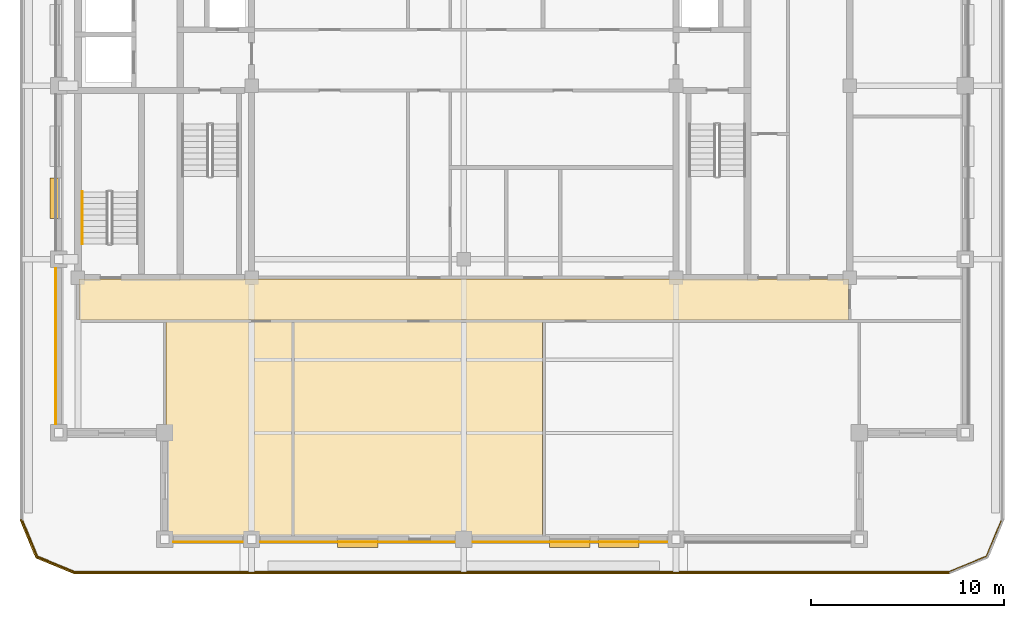
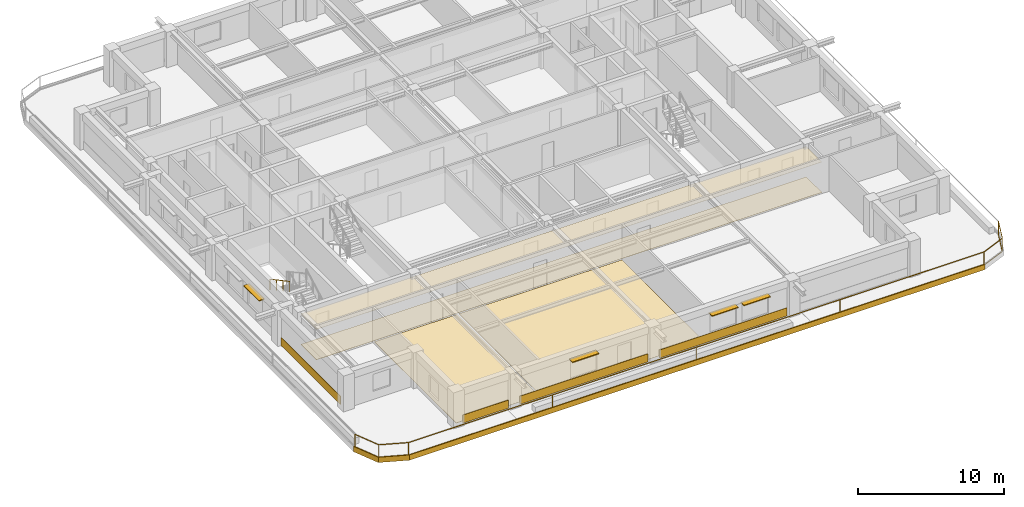
# One storey, part 7 of 11: 11 coverings, 4 shading devices, 2 railings.
"""IFC4 building model written with IfcOpenShell, lengths in metres."""

from ifc_helpers import new_model, si_unit, direction, frame, frame_2d, origin, origin_2d, place, context, subcontext, project, spatial, polyline, rectangle, outline, extrude, material, layer, layer_set, type_object, element, save


model = new_model("IFC4")

# Units and contexts
model_context = context("Model", 3, precision=1e-05, world=origin(), true_north=direction((0.0, 1.0)))
body_context = subcontext(model_context, "Body", "Model", "MODEL_VIEW")
ifc_project = project(units=[si_unit("LENGTHUNIT", "METRE"), si_unit("AREAUNIT", "SQUARE_METRE"), si_unit("VOLUMEUNIT", "CUBIC_METRE"), si_unit("PLANEANGLEUNIT", "RADIAN"), si_unit("MASSUNIT", "GRAM", prefix="KILO")], contexts=[model_context])

# Site, building, storey
site_placement = place(None, origin())
site = spatial("IfcSite", under=ifc_project, at=site_placement, CompositionType="ELEMENT")
building_placement = place(site_placement, origin())
building = spatial("IfcBuilding", under=site, at=building_placement, Name="Zulmaris Gate Convention Tower", CompositionType="ELEMENT")
storey_placement = place(building_placement, frame((0.0, 0.0, 233.280029296875)))
storey = spatial("IfcBuildingStorey", under=building, at=storey_placement, Name="L61", CompositionType="ELEMENT", Elevation=233.280029296875)

# Coverings
ifc_material_1 = material(Name="Precast concrete C40/50", Category="concrete")
ifc_layer_1 = layer(ifc_material_1, 0.0400390625, Name="Precast concrete C40/50")
ifc_layer_set_1 = layer_set([ifc_layer_1], Name="Precast concrete C40/50")
covering_type_1 = type_object("IfcCoveringType", Name="CLAD-SPANDREL-PRECAST", PredefinedType="CLADDING", material=ifc_layer_set_1)
covering_1_placement = place(storey_placement, frame((-15.044921875, -23.64990234375, 0.0), z_axis=(0.0, 0.0, 1.0), x_axis=(1.0, 0.0, 0.0)))
element("IfcCovering", 1, at=covering_1_placement, inside=storey, type_object=covering_type_1, Name="CLD-L61-S-0_0", PredefinedType="CLADDING", context=body_context, shape_type="SweptSolid", body=[
    extrude(rectangle(XDim=3.58984375, YDim=0.0400390625, at=frame_2d((1.794921875, 0.0))), origin(), (0.0, 0.0, 1.0), 0.679931640625),
])
for number, where, z_axis, x_axis, name in (
    (2, (-10.544921875, -23.64990234375, 0.0), (0.0, 0.0, 1.0), (1.0, 0.0, 0.0), "CLD-L61-S-1_0"),
    (3, (0.455078125, -23.64990234375, 0.0), (0.0, 0.0, 1.0), (1.0, 0.0, 0.0), "CLD-L61-S-2_0"),
):
    element("IfcCovering", number, at=place(storey_placement, frame(where, z_axis=z_axis, x_axis=x_axis)), inside=storey, type_object=covering_type_1, Name=name, PredefinedType="CLADDING", context=body_context, shape_type="SweptSolid", body=[
        extrude(rectangle(XDim=10.08984375, YDim=0.0400390625, at=frame_2d((5.044921875, 0.0))), origin(), (0.0, 0.0, 1.0), 0.679931640625),
    ])
covering_2_placement = place(storey_placement, frame((-21.14990234375, -9.455078125, 0.0), z_axis=(0.0, 0.0, 1.0), x_axis=(0.0, -1.0, 0.0)))
element("IfcCovering", 4, at=covering_2_placement, inside=storey, type_object=covering_type_1, Name="CLD-L61-W-0_0", PredefinedType="CLADDING", context=body_context, shape_type="SweptSolid", body=[
    extrude(rectangle(XDim=8.08984375, YDim=0.0400390625, at=frame_2d((4.044921875, 0.0))), origin(), (0.0, 0.0, 1.0), 0.679931640625),
])
ifc_material_2 = material(Name="White Glazed Architectural Precast Concrete C40/50", Category="concrete")
ifc_layer_2 = layer(ifc_material_2, 0.080078125, Name="White Glazed Architectural Precast Concrete C40/50")
ifc_layer_set_2 = layer_set([ifc_layer_2], Name="White Glazed Architectural Precast Concrete C40/50")
covering_type_2 = type_object("IfcCoveringType", Name="CLAD-TRAY-FASCIA", PredefinedType="CLADDING", material=ifc_layer_set_2)
covering_3_placement = place(storey_placement, frame((-22.962890625, -22.484619140625, -0.2900390625), z_axis=(0.0, 0.0, 1.0), x_axis=(0.382656984709, -0.923890487046, 0.0)))
element("IfcCovering", 5, at=covering_3_placement, inside=storey, type_object=covering_type_2, Name="FSC-L61-TR-00", PredefinedType="CLADDING", context=body_context, shape_type="SweptSolid", body=[
    extrude(rectangle(XDim=2.14306640625, YDim=0.080078125, at=frame_2d((1.071533203125, 0.0))), origin(), (0.0, 0.0, 1.0), 0.43994140625),
])
covering_4_placement = place(storey_placement, frame((-22.16455078125, -24.44287109375, -0.2900390625), z_axis=(0.0, 0.0, 1.0), x_axis=(0.923873803533, -0.382697263049, 0.0)))
element("IfcCovering", 6, at=covering_4_placement, inside=storey, type_object=covering_type_2, Name="FSC-L61-TR-01", PredefinedType="CLADDING", context=body_context, shape_type="SweptSolid", body=[
    extrude(rectangle(XDim=2.142822265625, YDim=0.080078125, at=frame_2d((1.0712890625, 0.0))), origin(), (0.0, 0.0, 1.0), 0.43994140625),
])
covering_5_placement = place(storey_placement, frame((-20.199951171875, -25.260009765625, -0.2900390625), z_axis=(0.0, 0.0, 1.0), x_axis=(1.0, 0.0, 0.0)))
element("IfcCovering", 7, at=covering_5_placement, inside=storey, type_object=covering_type_2, Name="FSC-L61-TR-02", PredefinedType="CLADDING", context=body_context, shape_type="SweptSolid", body=[
    extrude(rectangle(XDim=45.39990234375, YDim=0.080078125, at=frame_2d((22.699951171875, 0.0))), origin(), (0.0, 0.0, 1.0), 0.43994140625),
])
ifc_material_3 = material(Name="Mineral Fibre Acoustic Ceiling Tile")
ifc_layer_3 = layer(ifc_material_3, 0.02001953125, Name="Mineral Fibre Acoustic Ceiling Tile")
ifc_layer_set_3 = layer_set([ifc_layer_3], Name="Mineral Fibre Acoustic Ceiling Tile")
covering_type_3 = type_object("IfcCoveringType", Name="CLG-ACOUSTIC-600", PredefinedType="CEILING", material=ifc_layer_set_3)
covering_6_placement = place(storey_placement, frame((0.0, 0.0, 2.5380859375)))
element("IfcCovering", 8, at=covering_6_placement, inside=storey, type_object=covering_type_3, Name="CLG-L61-R33", PredefinedType="CEILING", context=body_context, shape_type="SweptSolid", body=[
    extrude(outline(polyline([(-19.93994140625, -12.139892578125), (19.93994140625, -12.139892578125), (19.93994140625, -10.010009765625), (-19.93994140625, -10.010009765625), (-19.93994140625, -12.139892578125)])), origin(), (0.0, 0.0, 1.0), 0.019775390625),
])
ifc_material_4 = material(Name="Woven Acoustic Wool Carpet Tile")
ifc_layer_4 = layer(ifc_material_4, 0.02001953125, Name="Woven Acoustic Wool Carpet Tile")
ifc_layer_set_4 = layer_set([ifc_layer_4], Name="Woven Acoustic Wool Carpet Tile")
covering_type_4 = type_object("IfcCoveringType", Name="FLR-CARPET-12", PredefinedType="FLOORING", material=ifc_layer_set_4)
covering_7_placement = place(storey_placement, origin())
element("IfcCovering", 9, at=covering_7_placement, inside=storey, type_object=covering_type_4, Name="FLR-L61-R33", PredefinedType="FLOORING", context=body_context, shape_type="SweptSolid", body=[
    extrude(outline(polyline([(-19.93994140625, -12.139892578125), (19.93994140625, -12.139892578125), (19.93994140625, -10.010009765625), (-19.93994140625, -10.010009765625), (-19.93994140625, -12.139892578125)])), origin(), (0.0, 0.0, 1.0), 0.02001953125),
])
covering_8_placement = place(storey_placement, origin())
element("IfcCovering", 10, at=covering_8_placement, inside=storey, type_object=covering_type_4, Name="FLR-L61-R43", PredefinedType="FLOORING", context=body_context, shape_type="SweptSolid", body=[
    extrude(outline(polyline([(-15.43994140625, -23.43994140625), (-8.909912109375, -23.43994140625), (-8.909912109375, -12.260009765625), (-15.43994140625, -12.260009765625), (-15.43994140625, -23.43994140625)])), origin(), (0.0, 0.0, 1.0), 0.02001953125),
])
covering_9_placement = place(storey_placement, origin())
element("IfcCovering", 11, at=covering_9_placement, inside=storey, type_object=covering_type_4, Name="FLR-L61-R44", PredefinedType="FLOORING", context=body_context, shape_type="SweptSolid", body=[
    extrude(outline(polyline([(-8.7900390625, -23.43994140625), (4.090087890625, -23.43994140625), (4.090087890625, -12.260009765625), (-8.7900390625, -12.260009765625), (-8.7900390625, -23.43994140625)])), origin(), (0.0, 0.0, 1.0), 0.02001953125),
])

# Railings
ifc_material_5 = material(Name="Laminated Glass and Stainless Steel", Category="steel")
railing_type_1 = type_object("IfcRailingType", Name="RL-BALC-1150", PredefinedType="BALUSTRADE", material=ifc_material_5)
railing_1_placement = place(storey_placement, frame((-22.8798828125, -22.5, -0.010009765625)))
element("IfcRailing", 12, at=railing_1_placement, inside=storey, type_object=railing_type_1, Name="RL-L61-BALC-S", PredefinedType="BALUSTRADE", context=body_context, shape_type="SweptSolid", body=[
    extrude(rectangle(XDim=0.048095703125, YDim=0.048095703125, at=origin_2d()), frame((0.0, 0.0, 1.1259765625), z_axis=(0.382670664694, -0.92388482095, 0.0), x_axis=(0.92388482095, 0.382670664694, 0.0)), (0.0, 0.0, 1.0), 2.051025390625),
    extrude(rectangle(XDim=0.048095703125, YDim=0.048095703125, at=origin_2d()), frame((0.0, 0.0, 0.02392578125), z_axis=(0.382670664694, -0.92388482095, 0.0), x_axis=(0.92388482095, 0.382670664694, 0.0)), (0.0, 0.0, 1.0), 2.051025390625),
    extrude(rectangle(XDim=0.048095703125, YDim=0.048095703125, at=origin_2d()), frame((0.784912109375, -1.89501953125, 1.1259765625), z_axis=(0.92388482095, -0.382670664694, 0.0), x_axis=(0.382670664694, 0.92388482095, 0.0)), (0.0, 0.0, 1.0), 2.051025390625),
    extrude(rectangle(XDim=0.048095703125, YDim=0.048095703125, at=origin_2d()), frame((0.784912109375, -1.89501953125, 0.02392578125), z_axis=(0.92388482095, -0.382670664694, 0.0), x_axis=(0.382670664694, 0.92388482095, 0.0)), (0.0, 0.0, 1.0), 2.051025390625),
    extrude(rectangle(XDim=0.048095703125, YDim=0.048095703125, at=origin_2d()), frame((2.679931640625, -2.679931640625, 1.1259765625), z_axis=(1.0, 0.0, 0.0), x_axis=(0.0, 1.0, 0.0)), (0.0, 0.0, 1.0), 45.39990234375),
    extrude(rectangle(XDim=0.048095703125, YDim=0.048095703125, at=origin_2d()), frame((2.679931640625, -2.679931640625, 0.02392578125), z_axis=(1.0, 0.0, 0.0), x_axis=(0.0, 1.0, 0.0)), (0.0, 0.0, 1.0), 45.39990234375),
    extrude(rectangle(XDim=0.048095703125, YDim=0.048095703125, at=origin_2d()), frame((48.079833984375, -2.679931640625, 1.1259765625), z_axis=(0.92388482095, 0.382670664694, 0.0), x_axis=(-0.382670664694, 0.92388482095, 0.0)), (0.0, 0.0, 1.0), 2.051025390625),
    extrude(rectangle(XDim=0.048095703125, YDim=0.048095703125, at=origin_2d()), frame((48.079833984375, -2.679931640625, 0.02392578125), z_axis=(0.92388482095, 0.382670664694, 0.0), x_axis=(-0.382670664694, 0.92388482095, 0.0)), (0.0, 0.0, 1.0), 2.051025390625),
    extrude(rectangle(XDim=0.048095703125, YDim=0.048095703125, at=origin_2d()), frame((49.974853515625, -1.89501953125, 1.1259765625), z_axis=(0.382670664694, 0.92388482095, 0.0), x_axis=(-0.92388482095, 0.382670664694, 0.0)), (0.0, 0.0, 1.0), 2.051025390625),
    extrude(rectangle(XDim=0.048095703125, YDim=0.048095703125, at=origin_2d()), frame((49.974853515625, -1.89501953125, 0.02392578125), z_axis=(0.382670664694, 0.92388482095, 0.0), x_axis=(-0.92388482095, 0.382670664694, 0.0)), (0.0, 0.0, 1.0), 2.051025390625),
    extrude(rectangle(XDim=0.0419921875, YDim=0.0419921875, at=origin_2d()), origin(), (0.0, 0.0, 1.0), 1.101806640625),
    extrude(rectangle(XDim=0.0419921875, YDim=0.0419921875, at=origin_2d()), frame((0.784912109375, -1.89501953125, 0.0)), (0.0, 0.0, 1.0), 1.101806640625),
    extrude(rectangle(XDim=0.0419921875, YDim=0.0419921875, at=origin_2d()), frame((2.679931640625, -2.679931640625, 0.0)), (0.0, 0.0, 1.0), 1.101806640625),
    extrude(rectangle(XDim=0.0419921875, YDim=0.0419921875, at=origin_2d()), frame((14.02978515625, -2.679931640625, 0.0)), (0.0, 0.0, 1.0), 1.101806640625),
    extrude(rectangle(XDim=0.0419921875, YDim=0.0419921875, at=origin_2d()), frame((25.3798828125, -2.679931640625, 0.0)), (0.0, 0.0, 1.0), 1.101806640625),
    extrude(rectangle(XDim=0.0419921875, YDim=0.0419921875, at=origin_2d()), frame((36.72998046875, -2.679931640625, 0.0)), (0.0, 0.0, 1.0), 1.101806640625),
    extrude(rectangle(XDim=0.0419921875, YDim=0.0419921875, at=origin_2d()), frame((48.079833984375, -2.679931640625, 0.0)), (0.0, 0.0, 1.0), 1.101806640625),
    extrude(rectangle(XDim=0.0419921875, YDim=0.0419921875, at=origin_2d()), frame((49.974853515625, -1.89501953125, 0.0)), (0.0, 0.0, 1.0), 1.101806640625),
    extrude(rectangle(XDim=0.0419921875, YDim=0.0419921875, at=origin_2d()), frame((50.759765625, 0.0, 0.0)), (0.0, 0.0, 1.0), 1.101806640625),
])
ifc_material_6 = material(Name="Brushed Stainless Steel", Category="steel")
railing_type_2 = type_object("IfcRailingType", Name="RL-STH-900", PredefinedType="HANDRAIL", material=ifc_material_6)
railing_2_placement = place(storey_placement, frame((-19.77001953125, -5.5, 1.7763671875)))
element("IfcRailing", 13, at=railing_2_placement, inside=storey, type_object=railing_type_2, Name="L61 ST-3 stair handrail 2", PredefinedType="HANDRAIL", context=body_context, shape_type="SweptSolid", body=[
    extrude(rectangle(XDim=0.048095703125, YDim=0.048095703125, at=origin_2d()), frame((0.0, 0.0, 0.8759765625), z_axis=(0.0, -0.880499220447, 0.474047595492), x_axis=(1.0, 0.0, 0.0)), (0.0, 0.0, 1.0), 3.06640625),
    extrude(rectangle(XDim=0.0419921875, YDim=0.0419921875, at=origin_2d()), origin(), (0.0, 0.0, 1.0), 0.851806640625),
    extrude(rectangle(XDim=0.0419921875, YDim=0.0419921875, at=origin_2d()), frame((0.0, -0.89990234375, 0.484619140625)), (0.0, 0.0, 1.0), 0.851806640625),
    extrude(rectangle(XDim=0.0419921875, YDim=0.0419921875, at=origin_2d()), frame((0.0, -1.800048828125, 0.968994140625)), (0.0, 0.0, 1.0), 0.851806640625),
    extrude(rectangle(XDim=0.0419921875, YDim=0.0419921875, at=origin_2d()), frame((0.0, -2.699951171875, 1.45361328125)), (0.0, 0.0, 1.0), 0.851806640625),
])

# Shading devices
ifc_material_7 = material(Name="Glazed Ceramic Terracotta", Category="masonry")
ifc_layer_5 = layer(ifc_material_7, 0.070068359375, Name="Glazed Ceramic Terracotta")
ifc_layer_set_5 = layer_set([ifc_layer_5], Name="Glazed Ceramic Terracotta")
shading_device_type = type_object("IfcShadingDeviceType", Name="SHD-SUNSHADE-TC", PredefinedType="AWNING", material=ifc_layer_set_5)
for number, where, z_axis, x_axis, name in (
    (14, (-6.550048828125, -23.719970703125, 2.22998046875), (0.0, 0.0, 1.0), (1.0, 0.0, 0.0), "SHD-EW-L61-S-1_0-2"),
    (15, (4.449951171875, -23.719970703125, 2.22998046875), (0.0, 0.0, 1.0), (1.0, 0.0, 0.0), "SHD-EW-L61-S-2_0-2"),
    (16, (6.972900390625, -23.719970703125, 2.22998046875), (0.0, 0.0, 1.0), (1.0, 0.0, 0.0), "SHD-EW-L61-S-2_0-3"),
):
    element("IfcShadingDevice", number, at=place(storey_placement, frame(where, z_axis=z_axis, x_axis=x_axis)), inside=storey, type_object=shading_device_type, Name=name, PredefinedType="AWNING", context=body_context, shape_type="SweptSolid", body=[
        extrude(rectangle(XDim=2.10009765625, YDim=0.43994140625, at=frame_2d((1.050048828125, 0.0))), origin(), (0.0, 0.0, 1.0), 0.070068359375),
    ])
shading_device_placement = place(storey_placement, frame((-21.219970703125, -4.798095703125, 2.22998046875), z_axis=(0.0, 0.0, 1.0), x_axis=(0.0, -1.0, 0.0)))
element("IfcShadingDevice", 17, at=shading_device_placement, inside=storey, type_object=shading_device_type, Name="SHD-EW-L61-W-1_0-2", PredefinedType="AWNING", context=body_context, shape_type="SweptSolid", body=[
    extrude(rectangle(XDim=2.099853515625, YDim=0.43994140625, at=frame_2d((1.0498046875, 0.0))), origin(), (0.0, 0.0, 1.0), 0.070068359375),
])

save(model, "model.ifc")
